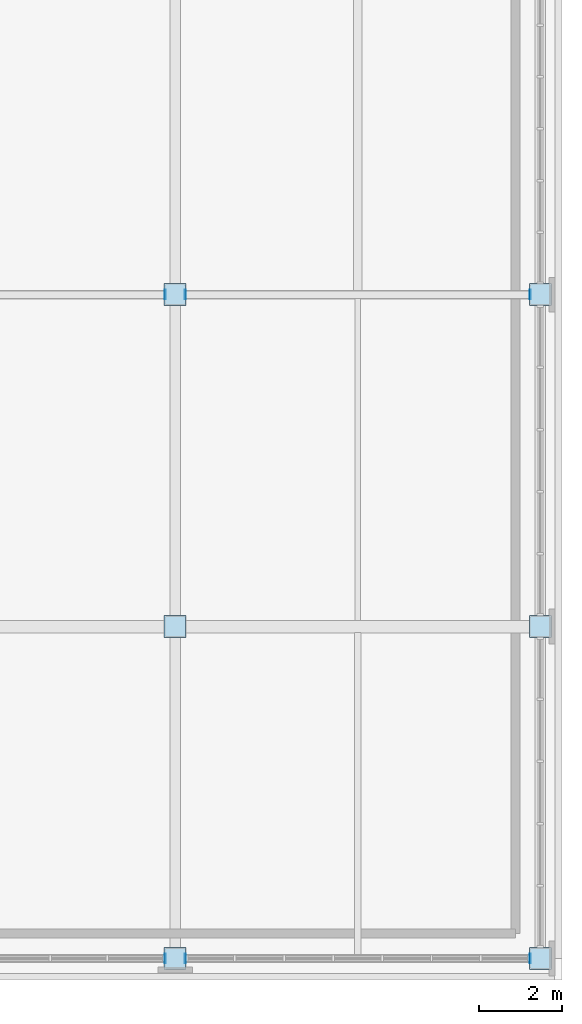
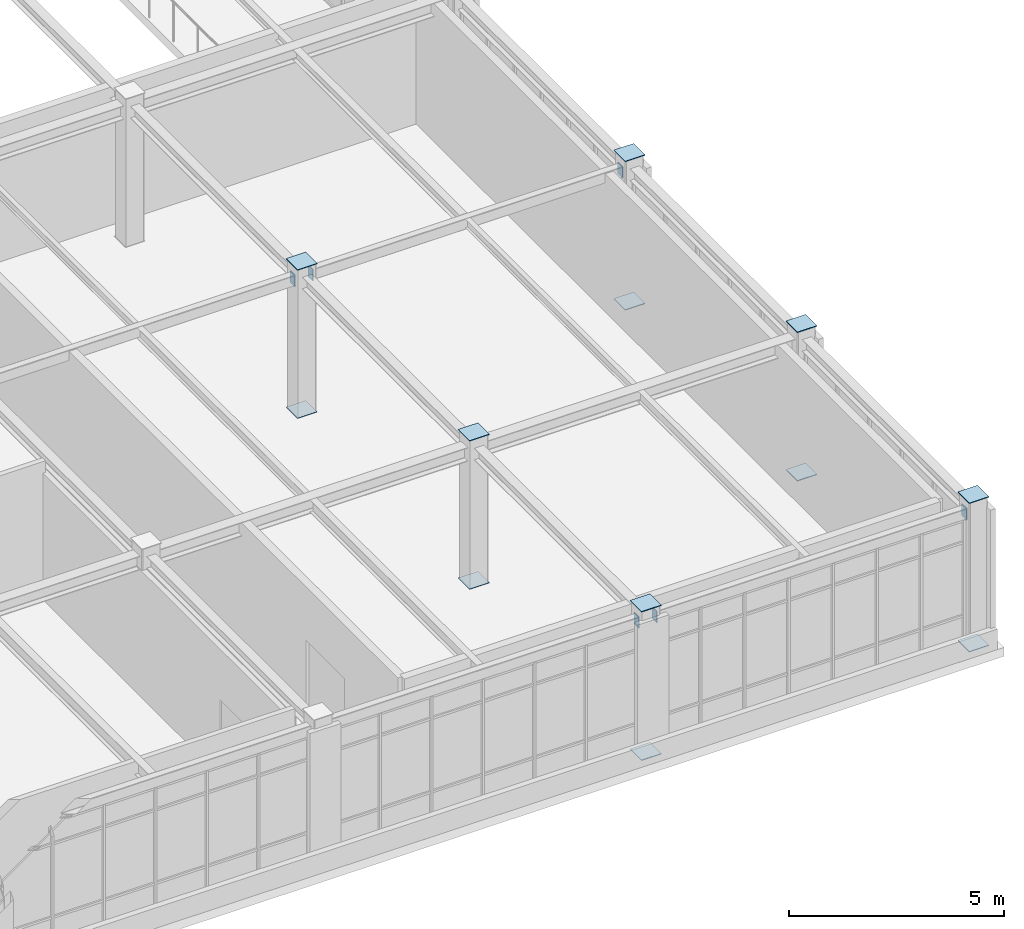
# One storey, part 31 of 45: 18 plates.
"""IFC4 building model written with IfcOpenShell, lengths in metres."""

from ifc_helpers import new_model, si_unit, direction, frame, origin, origin_2d, place, context, subcontext, project, spatial, rectangle, extrude, material, layer, layer_set, type_object, element, save


model = new_model("IFC4")

# Units and contexts
model_context = context("Model", 3, precision=1e-05, world=origin(), true_north=direction((0.0, 1.0)))
body_context = subcontext(model_context, "Body", "Model", "MODEL_VIEW")
ifc_project = project(units=[si_unit("LENGTHUNIT", "METRE"), si_unit("AREAUNIT", "SQUARE_METRE"), si_unit("VOLUMEUNIT", "CUBIC_METRE"), si_unit("PLANEANGLEUNIT", "RADIAN"), si_unit("MASSUNIT", "GRAM", prefix="KILO")], contexts=[model_context])

# Site, building, storey
site_placement = place(None, origin())
site = spatial("IfcSite", under=ifc_project, at=site_placement, CompositionType="ELEMENT")
building_placement = place(site_placement, origin())
building = spatial("IfcBuilding", under=site, at=building_placement, Name="Zhaolan Boulevard Law Courts", CompositionType="ELEMENT")
storey_placement = place(building_placement, frame((0.0, 0.0, 24.60009765625)))
storey = spatial("IfcBuildingStorey", under=building, at=storey_placement, Name="L05", CompositionType="ELEMENT", Elevation=24.60009765625)

# Plates
ifc_material = material(Name="Structural steel Q355B", Category="steel")
ifc_layer = layer(ifc_material, 0.02001953125)
ifc_layer_set = layer_set([ifc_layer])
plate_type = type_object("IfcPlateType", Name="END CAP PLATE 20", PredefinedType="SHEET", material=ifc_layer_set)
for number, where, z_axis, x_axis, name in (
    (1, (35.199951171875, 30.0, -0.01806640625), (0.0, 0.0, 1.0), (1.0, 0.0, 0.0), "Hollow Section End-Cap Plate ECP-0369"),
    (2, (35.199951171875, 30.0, 4.197998046875), (0.0, 0.0, 1.0), (1.0, 0.0, 0.0), "Hollow Section End-Cap Plate ECP-0370"),
    (3, (35.199951171875, 38.0, -0.01806640625), (0.0, 0.0, 1.0), (1.0, 0.0, 0.0), "Hollow Section End-Cap Plate ECP-0389"),
    (4, (35.199951171875, 38.0, 4.197998046875), (0.0, 0.0, 1.0), (1.0, 0.0, 0.0), "Hollow Section End-Cap Plate ECP-0390"),
    (5, (35.199951171875, 46.0, -0.01806640625), (0.0, 0.0, 1.0), (1.0, 0.0, 0.0), "Hollow Section End-Cap Plate ECP-0411"),
    (6, (35.199951171875, 46.0, 4.197998046875), (0.0, 0.0, 1.0), (1.0, 0.0, 0.0), "Hollow Section End-Cap Plate ECP-0412"),
    (7, (44.0, 30.0, -0.01806640625), (0.0, 0.0, 1.0), (1.0, 0.0, 0.0), "Hollow Section End-Cap Plate ECP-0499"),
    (8, (44.0, 30.0, 4.197998046875), (0.0, 0.0, 1.0), (1.0, 0.0, 0.0), "Hollow Section End-Cap Plate ECP-0500"),
    (9, (44.0, 38.0, -0.01806640625), (0.0, 0.0, 1.0), (1.0, 0.0, 0.0), "Hollow Section End-Cap Plate ECP-0517"),
    (10, (44.0, 38.0, 4.197998046875), (0.0, 0.0, 1.0), (1.0, 0.0, 0.0), "Hollow Section End-Cap Plate ECP-0518"),
    (11, (44.0, 46.0, -0.01806640625), (0.0, 0.0, 1.0), (1.0, 0.0, 0.0), "Hollow Section End-Cap Plate ECP-0535"),
    (12, (44.0, 46.0, 4.197998046875), (0.0, 0.0, 1.0), (1.0, 0.0, 0.0), "Hollow Section End-Cap Plate ECP-0536"),
):
    element("IfcPlate", number, at=place(storey_placement, frame(where, z_axis=z_axis, x_axis=x_axis)), inside=storey, type_object=plate_type, Name=name, PredefinedType="SHEET", context=body_context, shape_type="SweptSolid", body=[
        extrude(rectangle(XDim=0.530029296875, YDim=0.530029296875, at=origin_2d()), origin(), (0.0, 0.0, 1.0), 0.02001953125),
    ])
for number, where, z_axis, x_axis, name in (
    (13, (34.9619140625, 30.0, 3.6328125), (0.0, 0.0, 1.0), (1.0, 0.0, 0.0), "Hollow Section End-Cap Plate ECP-0986"),
    (14, (35.43798828125, 30.0, 3.6328125), (0.0, 0.0, 1.0), (1.0, 0.0, 0.0), "Hollow Section End-Cap Plate ECP-0987"),
    (15, (43.761962890625, 30.0, 3.6328125), (0.0, 0.0, 1.0), (1.0, 0.0, 0.0), "Hollow Section End-Cap Plate ECP-0988"),
    (16, (34.9619140625, 46.0, 3.6328125), (0.0, 0.0, 1.0), (1.0, 0.0, 0.0), "Hollow Section End-Cap Plate ECP-0996"),
    (17, (35.43798828125, 46.0, 3.6328125), (0.0, 0.0, 1.0), (1.0, 0.0, 0.0), "Hollow Section End-Cap Plate ECP-0997"),
    (18, (43.761962890625, 46.0, 3.6328125), (0.0, 0.0, 1.0), (1.0, 0.0, 0.0), "Hollow Section End-Cap Plate ECP-0998"),
):
    element("IfcPlate", number, at=place(storey_placement, frame(where, z_axis=z_axis, x_axis=x_axis)), inside=storey, type_object=plate_type, Name=name, PredefinedType="SHEET", context=body_context, shape_type="SweptSolid", body=[
        extrude(rectangle(XDim=0.02001953125, YDim=0.22998046875, at=origin_2d()), origin(), (0.0, 0.0, 1.0), 0.330078125),
    ])

save(model, "model.ifc")
